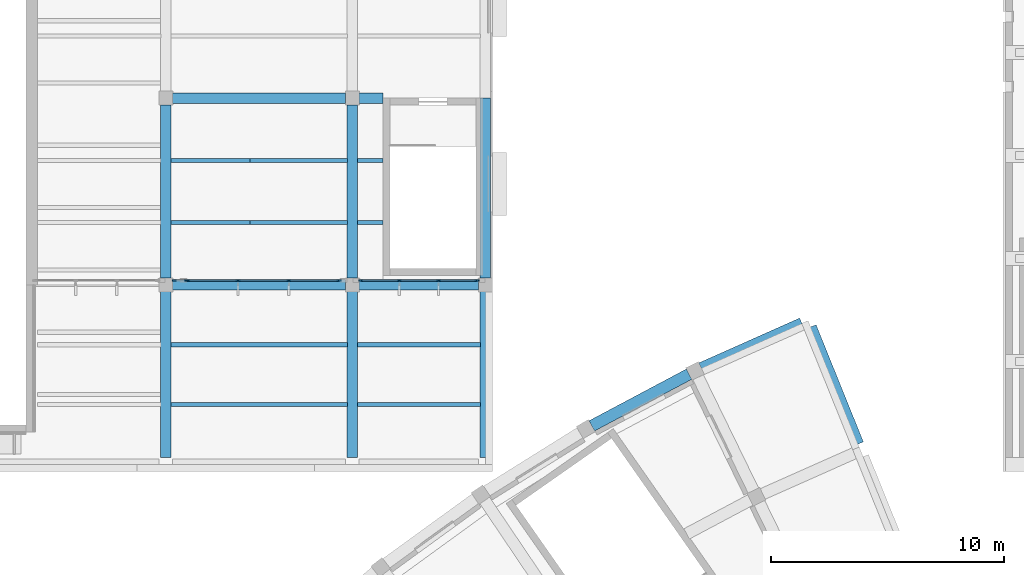
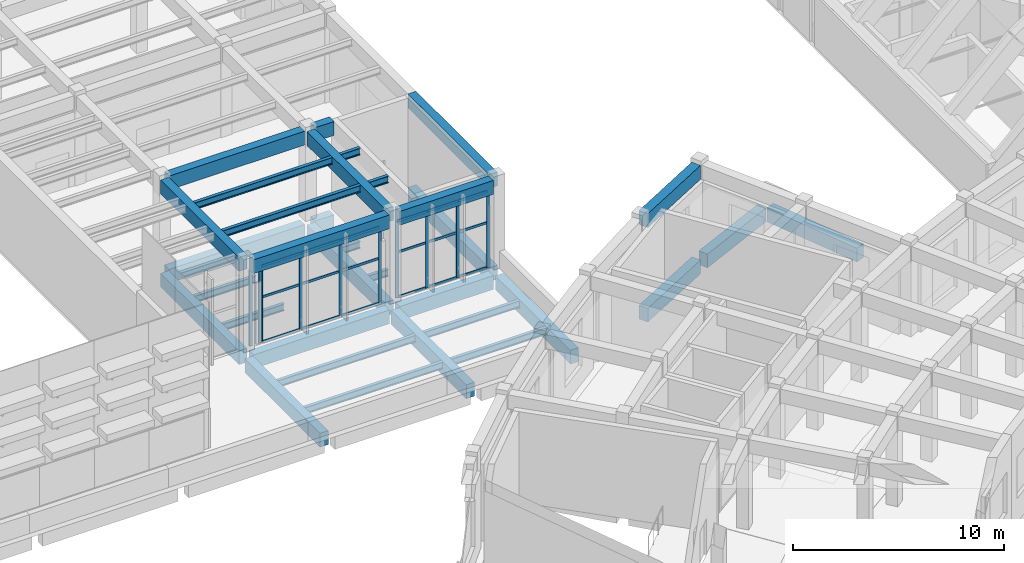
# One storey, part 7 of 94: 33 beams, 28 members, 3 elements without a shape of their own.
"""IFC4 building model written with IfcOpenShell, lengths in metres."""

from ifc_helpers import new_model, si_unit, direction, frame, origin, origin_2d, place, context, subcontext, project, spatial, rectangle, i_section, extrude, material, layer, layer_set, material_profile, profile_set, type_object, element, aggregate, save


model = new_model("IFC4")

# Units and contexts
model_context = context("Model", 3, precision=1e-05, world=origin(), true_north=direction((0.0, 1.0)))
body_context = subcontext(model_context, "Body", "Model", "MODEL_VIEW")
ifc_project = project(units=[si_unit("LENGTHUNIT", "METRE"), si_unit("AREAUNIT", "SQUARE_METRE"), si_unit("VOLUMEUNIT", "CUBIC_METRE"), si_unit("PLANEANGLEUNIT", "RADIAN"), si_unit("MASSUNIT", "GRAM", prefix="KILO")], contexts=[model_context])

# Site, building, storey
site_placement = place(None, origin())
site = spatial("IfcSite", under=ifc_project, at=site_placement, CompositionType="ELEMENT")
building_placement = place(site_placement, origin())
building = spatial("IfcBuilding", under=site, at=building_placement, Name="Lunette Opera House", CompositionType="ELEMENT")
storey_placement = place(building_placement, frame((0.0, 0.0, 22.5)))
storey = spatial("IfcBuildingStorey", under=building, at=storey_placement, Name="L04", CompositionType="ELEMENT", Elevation=22.5)

# Curtain wall, members
ifc_material_1 = material(Name="Aluminium", Category="aluminium")
ifc_layer = layer(ifc_material_1, 0.179931640625)
ifc_layer_set = layer_set([ifc_layer], Name="Aluminium")
curtain_wall_type = type_object("IfcCurtainWallType", Name="SUN FACE CURTAIN WALL", PredefinedType="NOTDEFINED", material=ifc_layer_set)
curtain_wall_1_placement = place(storey_placement, origin())
curtain_wall_1 = element("IfcCurtainWall", 1, at=curtain_wall_1_placement, inside=storey, type_object=curtain_wall_type, Name="Sun Face Curtain Wall F01-2 L04", PredefinedType="NOTDEFINED")
ifc_material_2 = material(Name="Aluminium", Category="aluminium")
ifc_material_profile_1 = material_profile(ifc_material_2, rectangle(XDim=0.06005859375, YDim=0.179931640625, at=origin_2d()), Name="MULLION 60 X 180")
ifc_profile_set_1 = profile_set([ifc_material_profile_1], Name="Aluminium")
member_type_1 = type_object("IfcMemberType", Name="MULLION 60 X 180", PredefinedType="MULLION", material=ifc_profile_set_1)
member_1_placement = place(storey_placement, frame((40.360107421875, 72.18310546875, 0.0), z_axis=(0.0, 0.0, 1.0), x_axis=(0.0, 1.0, 0.0)))
member_1 = element("IfcMember", 2, at=member_1_placement, type_object=member_type_1, Name="RW-X2058 mullion 1", PredefinedType="MULLION", context=body_context, shape_type="SweptSolid", body=[
    extrude(rectangle(XDim=0.06005859375, YDim=0.179931640625, at=origin_2d()), origin(), (0.0, 0.0, 1.0), 4.449951171875),
])
member_2_placement = place(storey_placement, frame((40.8798828125, 72.18310546875, 0.0), z_axis=(0.0, 0.0, 1.0), x_axis=(0.0, 1.0, 0.0)))
member_2 = element("IfcMember", 3, at=member_2_placement, type_object=member_type_1, Name="RW-X2058 mullion 2", PredefinedType="MULLION", context=body_context, shape_type="SweptSolid", body=[
    extrude(rectangle(XDim=0.06005859375, YDim=0.179931640625, at=origin_2d()), origin(), (0.0, 0.0, 1.0), 4.449951171875),
])
aggregate(curtain_wall_1, [member_1, member_2])

curtain_wall_2_placement = place(storey_placement, origin())
curtain_wall_2 = element("IfcCurtainWall", 4, at=curtain_wall_2_placement, inside=storey, type_object=curtain_wall_type, Name="Sun Face Curtain Wall F02 L04", PredefinedType="NOTDEFINED")
member_3_placement = place(storey_placement, frame((40.93994140625, 72.18310546875, 0.0), z_axis=(0.0, 0.0, 1.0), x_axis=(0.0, 1.0, 0.0)))
member_3 = element("IfcMember", 5, at=member_3_placement, type_object=member_type_1, Name="RW-X2059 mullion 1", PredefinedType="MULLION", context=body_context, shape_type="SweptSolid", body=[
    extrude(rectangle(XDim=0.06005859375, YDim=0.179931640625, at=origin_2d()), origin(), (0.0, 0.0, 1.0), 4.449951171875),
])
member_4_placement = place(storey_placement, frame((43.091552734375, 72.18310546875, 0.0), z_axis=(0.0, 0.0, 1.0), x_axis=(0.0, 1.0, 0.0)))
member_4 = element("IfcMember", 6, at=member_4_placement, type_object=member_type_1, Name="RW-X2059 mullion 2", PredefinedType="MULLION", context=body_context, shape_type="SweptSolid", body=[
    extrude(rectangle(XDim=0.06005859375, YDim=0.179931640625, at=origin_2d()), origin(), (0.0, 0.0, 1.0), 4.449951171875),
])
member_5_placement = place(storey_placement, frame((45.2734375, 72.18310546875, 0.0), z_axis=(0.0, 0.0, 1.0), x_axis=(0.0, 1.0, 0.0)))
member_5 = element("IfcMember", 7, at=member_5_placement, type_object=member_type_1, Name="RW-X2059 mullion 3", PredefinedType="MULLION", context=body_context, shape_type="SweptSolid", body=[
    extrude(rectangle(XDim=0.06005859375, YDim=0.179931640625, at=origin_2d()), origin(), (0.0, 0.0, 1.0), 4.449951171875),
])
member_6_placement = place(storey_placement, frame((47.425048828125, 72.18310546875, 0.0), z_axis=(0.0, 0.0, 1.0), x_axis=(0.0, 1.0, 0.0)))
member_6 = element("IfcMember", 8, at=member_6_placement, type_object=member_type_1, Name="RW-X2059 mullion 4", PredefinedType="MULLION", context=body_context, shape_type="SweptSolid", body=[
    extrude(rectangle(XDim=0.06005859375, YDim=0.179931640625, at=origin_2d()), origin(), (0.0, 0.0, 1.0), 4.449951171875),
])

curtain_wall_3_placement = place(storey_placement, origin())
curtain_wall_3 = element("IfcCurtainWall", 9, at=curtain_wall_3_placement, inside=storey, type_object=curtain_wall_type, Name="Sun Face Curtain Wall F03 L04", PredefinedType="NOTDEFINED")
member_7_placement = place(storey_placement, frame((48.360107421875, 72.18310546875, 0.0), z_axis=(0.0, 0.0, 1.0), x_axis=(0.0, 1.0, 0.0)))
member_7 = element("IfcMember", 10, at=member_7_placement, type_object=member_type_1, Name="RW-X2060 mullion 1", PredefinedType="MULLION", context=body_context, shape_type="SweptSolid", body=[
    extrude(rectangle(XDim=0.06005859375, YDim=0.179931640625, at=origin_2d()), origin(), (0.0, 0.0, 1.0), 4.449951171875),
])
member_8_placement = place(storey_placement, frame((50.010009765625, 72.18310546875, 0.0), z_axis=(0.0, 0.0, 1.0), x_axis=(0.0, 1.0, 0.0)))
member_8 = element("IfcMember", 11, at=member_8_placement, type_object=member_type_1, Name="RW-X2060 mullion 2", PredefinedType="MULLION", context=body_context, shape_type="SweptSolid", body=[
    extrude(rectangle(XDim=0.06005859375, YDim=0.179931640625, at=origin_2d()), origin(), (0.0, 0.0, 1.0), 4.449951171875),
])
member_9_placement = place(storey_placement, frame((51.68994140625, 72.18310546875, 0.0), z_axis=(0.0, 0.0, 1.0), x_axis=(0.0, 1.0, 0.0)))
member_9 = element("IfcMember", 12, at=member_9_placement, type_object=member_type_1, Name="RW-X2060 mullion 3", PredefinedType="MULLION", context=body_context, shape_type="SweptSolid", body=[
    extrude(rectangle(XDim=0.06005859375, YDim=0.179931640625, at=origin_2d()), origin(), (0.0, 0.0, 1.0), 4.449951171875),
])
member_10_placement = place(storey_placement, frame((53.340087890625, 72.18310546875, 0.0), z_axis=(0.0, 0.0, 1.0), x_axis=(0.0, 1.0, 0.0)))
member_10 = element("IfcMember", 13, at=member_10_placement, type_object=member_type_1, Name="RW-X2060 mullion 4", PredefinedType="MULLION", context=body_context, shape_type="SweptSolid", body=[
    extrude(rectangle(XDim=0.06005859375, YDim=0.179931640625, at=origin_2d()), origin(), (0.0, 0.0, 1.0), 4.449951171875),
])

# Beams
ifc_material_3 = material(Name="Concrete C35/45", Category="concrete")
ifc_material_profile_2 = material_profile(ifc_material_3, rectangle(XDim=0.449951171875, YDim=0.800048828125, at=origin_2d()), Name="RC BEAM 450X800")
ifc_profile_set_2 = profile_set([ifc_material_profile_2], Name="Concrete C35/45")
beam_type_1 = type_object("IfcBeamType", Name="RC BEAM 450X800", PredefinedType="BEAM", material=ifc_profile_set_2)
beam_1_placement = place(storey_placement, frame((40.0, 64.590087890625, -0.64990234375), z_axis=(0.0, 1.0, 0.0), x_axis=(-1.0, 0.0, 0.0)))
element("IfcBeam", 14, at=beam_1_placement, inside=storey, type_object=beam_type_1, Name="beam-RW-L04-L04-GY40", PredefinedType="BEAM", context=body_context, shape_type="SweptSolid", body=[
    extrude(rectangle(XDim=0.449951171875, YDim=0.800048828125, at=origin_2d()), origin(), (0.0, 0.0, 1.0), 7.119873046875),
])
beam_2_placement = place(storey_placement, frame((40.0, 72.2900390625, -0.550048828125), z_axis=(0.0, 1.0, 0.0), x_axis=(-1.0, 0.0, 0.0)))
element("IfcBeam", 15, at=beam_2_placement, inside=storey, type_object=beam_type_1, Name="beam-RW-L04-L04-GY41", PredefinedType="BEAM", context=body_context, shape_type="SweptSolid", body=[
    extrude(rectangle(XDim=0.449951171875, YDim=0.800048828125, at=origin_2d()), origin(), (0.0, 0.0, 1.0), 7.419921875),
])
beam_3_placement = place(storey_placement, frame((48.0, 64.590087890625, -0.64990234375), z_axis=(0.0, 1.0, 0.0), x_axis=(-1.0, 0.0, 0.0)))
element("IfcBeam", 16, at=beam_3_placement, inside=storey, type_object=beam_type_1, Name="beam-RW-L04-L04-GY50", PredefinedType="BEAM", context=body_context, shape_type="SweptSolid", body=[
    extrude(rectangle(XDim=0.449951171875, YDim=0.800048828125, at=origin_2d()), origin(), (0.0, 0.0, 1.0), 7.119873046875),
])
beam_4_placement = place(storey_placement, frame((48.0, 72.2900390625, -0.550048828125), z_axis=(0.0, 1.0, 0.0), x_axis=(-1.0, 0.0, 0.0)))
element("IfcBeam", 17, at=beam_4_placement, inside=storey, type_object=beam_type_1, Name="beam-RW-L04-L04-GY51", PredefinedType="BEAM", context=body_context, shape_type="SweptSolid", body=[
    extrude(rectangle(XDim=0.449951171875, YDim=0.800048828125, at=origin_2d()), origin(), (0.0, 0.0, 1.0), 7.419921875),
])
beam_5_placement = place(storey_placement, frame((53.699951171875, 64.590087890625, -0.64990234375), z_axis=(0.0, 1.0, 0.0), x_axis=(-1.0, 0.0, 0.0)))
element("IfcBeam", 18, at=beam_5_placement, inside=storey, type_object=beam_type_1, Name="beam-RW-L04-L04-GY60", PredefinedType="BEAM", context=body_context, shape_type="SweptSolid", body=[
    extrude(rectangle(XDim=0.449951171875, YDim=0.800048828125, at=origin_2d()), origin(), (0.0, 0.0, 1.0), 7.119873046875),
])
beam_6_placement = place(storey_placement, frame((53.699951171875, 72.2900390625, -0.550048828125), z_axis=(0.0, 1.0, 0.0), x_axis=(-1.0, 0.0, 0.0)))
element("IfcBeam", 19, at=beam_6_placement, inside=storey, type_object=beam_type_1, Name="beam-RW-L04-L04-GY61", PredefinedType="BEAM", context=body_context, shape_type="SweptSolid", body=[
    extrude(rectangle(XDim=0.449951171875, YDim=0.800048828125, at=origin_2d()), origin(), (0.0, 0.0, 1.0), 7.7099609375),
])
beam_7_placement = place(storey_placement, frame((40.2900390625, 72.0, -0.64990234375), z_axis=(1.0, 0.0, 0.0), x_axis=(0.0, 1.0, 0.0)))
element("IfcBeam", 20, at=beam_7_placement, inside=storey, type_object=beam_type_1, Name="beam-RW-L04-L04-GX41", PredefinedType="BEAM", context=body_context, shape_type="SweptSolid", body=[
    extrude(rectangle(XDim=0.449951171875, YDim=0.800048828125, at=origin_2d()), origin(), (0.0, 0.0, 1.0), 7.419921875),
])
beam_8_placement = place(storey_placement, frame((48.2900390625, 72.0, -0.64990234375), z_axis=(1.0, 0.0, 0.0), x_axis=(0.0, 1.0, 0.0)))
element("IfcBeam", 21, at=beam_8_placement, inside=storey, type_object=beam_type_1, Name="beam-RW-L04-L04-GX51", PredefinedType="BEAM", context=body_context, shape_type="SweptSolid", body=[
    extrude(rectangle(XDim=0.449951171875, YDim=0.800048828125, at=origin_2d()), origin(), (0.0, 0.0, 1.0), 5.119873046875),
])
beam_9_placement = place(storey_placement, frame((40.2900390625, 80.0, -0.550048828125), z_axis=(1.0, 0.0, 0.0), x_axis=(0.0, 1.0, 0.0)))
element("IfcBeam", 22, at=beam_9_placement, inside=storey, type_object=beam_type_1, Name="beam-RW-L04-L04-GX42", PredefinedType="BEAM", context=body_context, shape_type="SweptSolid", body=[
    extrude(rectangle(XDim=0.449951171875, YDim=0.800048828125, at=origin_2d()), origin(), (0.0, 0.0, 1.0), 7.419921875),
])
beam_10_placement = place(storey_placement, frame((48.2900390625, 80.0, -0.550048828125), z_axis=(1.0, 0.0, 0.0), x_axis=(0.0, 1.0, 0.0)))
element("IfcBeam", 23, at=beam_10_placement, inside=storey, type_object=beam_type_1, Name="beam-RW-L04-L04-GX52", PredefinedType="BEAM", context=body_context, shape_type="SweptSolid", body=[
    extrude(rectangle(XDim=0.449951171875, YDim=0.800048828125, at=origin_2d()), origin(), (0.0, 0.0, 1.0), 1.02001953125),
])
for number, where, z_axis, x_axis, name in (
    (24, (40.0, 72.2900390625, 4.85009765625), (0.0, 1.0, 0.0), (-1.0, 0.0, 0.0), "beam-RW-L04-L04R-GY41"),
    (25, (48.0, 72.2900390625, 4.85009765625), (0.0, 1.0, 0.0), (-1.0, 0.0, 0.0), "beam-RW-L04-L04R-GY51"),
):
    element("IfcBeam", number, at=place(storey_placement, frame(where, z_axis=z_axis, x_axis=x_axis)), inside=storey, type_object=beam_type_1, Name=name, PredefinedType="BEAM", context=body_context, shape_type="SweptSolid", body=[
        extrude(rectangle(XDim=0.449951171875, YDim=0.800048828125, at=origin_2d()), origin(), (0.0, 0.0, 1.0), 7.419921875),
    ])
beam_11_placement = place(storey_placement, frame((53.699951171875, 72.2900390625, 4.85009765625), z_axis=(0.0, 1.0, 0.0), x_axis=(-1.0, 0.0, 0.0)))
element("IfcBeam", 26, at=beam_11_placement, inside=storey, type_object=beam_type_1, Name="beam-RW-L04-L04R-GY61", PredefinedType="BEAM", context=body_context, shape_type="SweptSolid", body=[
    extrude(rectangle(XDim=0.449951171875, YDim=0.800048828125, at=origin_2d()), origin(), (0.0, 0.0, 1.0), 7.7099609375),
])
beam_12_placement = place(storey_placement, frame((40.2900390625, 72.0, 4.85009765625), z_axis=(1.0, 0.0, 0.0), x_axis=(0.0, 1.0, 0.0)))
element("IfcBeam", 27, at=beam_12_placement, inside=storey, type_object=beam_type_1, Name="beam-RW-L04-L04R-GX41", PredefinedType="BEAM", context=body_context, shape_type="SweptSolid", body=[
    extrude(rectangle(XDim=0.449951171875, YDim=0.800048828125, at=origin_2d()), origin(), (0.0, 0.0, 1.0), 7.419921875),
])
beam_13_placement = place(storey_placement, frame((48.2900390625, 72.0, 4.85009765625), z_axis=(1.0, 0.0, 0.0), x_axis=(0.0, 1.0, 0.0)))
element("IfcBeam", 28, at=beam_13_placement, inside=storey, type_object=beam_type_1, Name="beam-RW-L04-L04R-GX51", PredefinedType="BEAM", context=body_context, shape_type="SweptSolid", body=[
    extrude(rectangle(XDim=0.449951171875, YDim=0.800048828125, at=origin_2d()), origin(), (0.0, 0.0, 1.0), 5.119873046875),
])
beam_14_placement = place(storey_placement, frame((40.2900390625, 80.0, 4.85009765625), z_axis=(1.0, 0.0, 0.0), x_axis=(0.0, 1.0, 0.0)))
element("IfcBeam", 29, at=beam_14_placement, inside=storey, type_object=beam_type_1, Name="beam-RW-L04-L04R-GX42", PredefinedType="BEAM", context=body_context, shape_type="SweptSolid", body=[
    extrude(rectangle(XDim=0.449951171875, YDim=0.800048828125, at=origin_2d()), origin(), (0.0, 0.0, 1.0), 7.419921875),
])
beam_15_placement = place(storey_placement, frame((48.2900390625, 80.0, 4.85009765625), z_axis=(1.0, 0.0, 0.0), x_axis=(0.0, 1.0, 0.0)))
element("IfcBeam", 30, at=beam_15_placement, inside=storey, type_object=beam_type_1, Name="beam-RW-L04-L04R-GX52", PredefinedType="BEAM", context=body_context, shape_type="SweptSolid", body=[
    extrude(rectangle(XDim=0.449951171875, YDim=0.800048828125, at=origin_2d()), origin(), (0.0, 0.0, 1.0), 1.02001953125),
])
ifc_material_4 = material(Name="Concrete C35/45", Category="concrete")
ifc_material_profile_3 = material_profile(ifc_material_4, rectangle(XDim=0.5, YDim=0.800048828125, at=origin_2d()), Name="RC BEAM 500X800")
ifc_profile_set_3 = profile_set([ifc_material_profile_3], Name="Concrete C35/45")
beam_type_2 = type_object("IfcBeamType", Name="RC BEAM 500X800", PredefinedType="BEAM", material=ifc_profile_set_3)
beam_16_placement = place(storey_placement, frame((69.6689453125, 65.172119140625, -0.6201171875), z_axis=(-0.374580732086, 0.927194302803, 0.0), x_axis=(-0.927194302803, -0.374580732086, 0.0)))
element("IfcBeam", 31, at=beam_16_placement, inside=storey, type_object=beam_type_2, Name="beam-FC-L04-L04-RB-RL-08-4", PredefinedType="BEAM", context=body_context, shape_type="SweptSolid", body=[
    extrude(rectangle(XDim=0.5, YDim=0.800048828125, at=origin_2d()), origin(), (0.0, 0.0, 1.0), 5.41943359375),
])
beam_17_placement = place(storey_placement, frame((58.256103515625, 65.9541015625, -0.6201171875), z_axis=(0.882965814701, 0.46943729088, 0.0), x_axis=(-0.46943729088, 0.882965814701, 0.0)))
element("IfcBeam", 32, at=beam_17_placement, inside=storey, type_object=beam_type_2, Name="beam-FC-L04-L04-RG-AR-C-RL-06", PredefinedType="BEAM", context=body_context, shape_type="SweptSolid", body=[
    extrude(rectangle(XDim=0.5, YDim=0.800048828125, at=origin_2d()), origin(), (0.0, 0.0, 1.0), 4.724853515625),
])
beam_18_placement = place(storey_placement, frame((62.948974609375, 68.426025390625, -0.6201171875), z_axis=(0.91352150634, 0.40679043432, 0.0), x_axis=(-0.40679043432, 0.91352150634, 0.0)))
element("IfcBeam", 33, at=beam_18_placement, inside=storey, type_object=beam_type_2, Name="beam-FC-L04-L04-RG-AR-C-RL-07", PredefinedType="BEAM", context=body_context, shape_type="SweptSolid", body=[
    extrude(rectangle(XDim=0.5, YDim=0.800048828125, at=origin_2d()), origin(), (0.0, 0.0, 1.0), 4.724365234375),
])
beam_19_placement = place(storey_placement, frame((58.256103515625, 65.9541015625, 4.85009765625), z_axis=(0.882965814701, 0.46943729088, 0.0), x_axis=(-0.46943729088, 0.882965814701, 0.0)))
element("IfcBeam", 34, at=beam_19_placement, inside=storey, type_object=beam_type_2, Name="beam-FC-L04-RF-RG-AR-C-RL-06", PredefinedType="BEAM", context=body_context, shape_type="SweptSolid", body=[
    extrude(rectangle(XDim=0.5, YDim=0.800048828125, at=origin_2d()), origin(), (0.0, 0.0, 1.0), 4.724853515625),
])
ifc_material_5 = material(Name="Steel S355", Category="steel")
ifc_material_profile_4 = material_profile(ifc_material_5, i_section(OverallWidth=0.179931640625, OverallDepth=0.39990234375, WebThickness=0.008544921875, FlangeThickness=0.013427734375, FilletRadius=0.02099609375, at=origin_2d()), Name="IPE 400")
ifc_profile_set_4 = profile_set([ifc_material_profile_4], Name="Steel S355")
beam_type_3 = type_object("IfcBeamType", Name="STEEL BEAM IPE 400", PredefinedType="BEAM", material=ifc_profile_set_4)
for number, where, z_axis, x_axis, name in (
    (35, (40.215087890625, 66.866943359375, -0.449951171875), (1.0, 0.0, 0.0), (0.0, 1.0, 0.0), "beam-RW-L04-L04-SX401"),
    (36, (40.215087890625, 69.43310546875, -0.449951171875), (1.0, 0.0, 0.0), (0.0, 1.0, 0.0), "beam-RW-L04-L04-SX402"),
):
    element("IfcBeam", number, at=place(storey_placement, frame(where, z_axis=z_axis, x_axis=x_axis)), inside=storey, type_object=beam_type_3, Name=name, PredefinedType="BEAM", context=body_context, shape_type="SweptSolid", body=[
        extrude(i_section(OverallWidth=0.179931640625, OverallDepth=0.39990234375, WebThickness=0.008544921875, FlangeThickness=0.013427734375, FilletRadius=0.02099609375, at=origin_2d()), origin(), (0.0, 0.0, 1.0), 7.56982421875),
    ])
for number, where, z_axis, x_axis, name in (
    (37, (40.215087890625, 74.6669921875, -0.35009765625), (1.0, 0.0, 0.0), (0.0, 1.0, 0.0), "beam-RW-L04-L04-SX411"),
    (38, (40.215087890625, 77.3330078125, -0.35009765625), (1.0, 0.0, 0.0), (0.0, 1.0, 0.0), "beam-RW-L04-L04-SX412"),
):
    element("IfcBeam", number, at=place(storey_placement, frame(where, z_axis=z_axis, x_axis=x_axis)), inside=storey, type_object=beam_type_3, Name=name, PredefinedType="BEAM", context=body_context, shape_type="SweptSolid", body=[
        extrude(i_section(OverallWidth=0.179931640625, OverallDepth=0.39990234375, WebThickness=0.008544921875, FlangeThickness=0.013427734375, FilletRadius=0.02099609375, at=origin_2d()), origin(), (0.0, 0.0, 1.0), 3.385009765625),
    ])
for number, where, z_axis, x_axis, name in (
    (39, (48.215087890625, 66.866943359375, -0.449951171875), (1.0, 0.0, 0.0), (0.0, 1.0, 0.0), "beam-RW-L04-L04-SX501"),
    (40, (48.215087890625, 69.43310546875, -0.449951171875), (1.0, 0.0, 0.0), (0.0, 1.0, 0.0), "beam-RW-L04-L04-SX502"),
):
    element("IfcBeam", number, at=place(storey_placement, frame(where, z_axis=z_axis, x_axis=x_axis)), inside=storey, type_object=beam_type_3, Name=name, PredefinedType="BEAM", context=body_context, shape_type="SweptSolid", body=[
        extrude(i_section(OverallWidth=0.179931640625, OverallDepth=0.39990234375, WebThickness=0.008544921875, FlangeThickness=0.013427734375, FilletRadius=0.02099609375, at=origin_2d()), origin(), (0.0, 0.0, 1.0), 5.27001953125),
    ])
for number, where, z_axis, x_axis, name in (
    (41, (48.215087890625, 74.6669921875, -0.35009765625), (1.0, 0.0, 0.0), (0.0, 1.0, 0.0), "beam-RW-L04-L04-SX511"),
    (42, (48.215087890625, 77.3330078125, -0.35009765625), (1.0, 0.0, 0.0), (0.0, 1.0, 0.0), "beam-RW-L04-L04-SX512"),
):
    element("IfcBeam", number, at=place(storey_placement, frame(where, z_axis=z_axis, x_axis=x_axis)), inside=storey, type_object=beam_type_3, Name=name, PredefinedType="BEAM", context=body_context, shape_type="SweptSolid", body=[
        extrude(i_section(OverallWidth=0.179931640625, OverallDepth=0.39990234375, WebThickness=0.008544921875, FlangeThickness=0.013427734375, FilletRadius=0.02099609375, at=origin_2d()), origin(), (0.0, 0.0, 1.0), 1.0849609375),
    ])
for number, where, z_axis, x_axis, name in (
    (43, (40.215087890625, 74.6669921875, 5.050048828125), (1.0, 0.0, 0.0), (0.0, 1.0, 0.0), "beam-RW-L04-L04R-SX411"),
    (44, (40.215087890625, 77.3330078125, 5.050048828125), (1.0, 0.0, 0.0), (0.0, 1.0, 0.0), "beam-RW-L04-L04R-SX412"),
):
    element("IfcBeam", number, at=place(storey_placement, frame(where, z_axis=z_axis, x_axis=x_axis)), inside=storey, type_object=beam_type_3, Name=name, PredefinedType="BEAM", context=body_context, shape_type="SweptSolid", body=[
        extrude(i_section(OverallWidth=0.179931640625, OverallDepth=0.39990234375, WebThickness=0.008544921875, FlangeThickness=0.013427734375, FilletRadius=0.02099609375, at=origin_2d()), origin(), (0.0, 0.0, 1.0), 7.56982421875),
    ])
for number, where, z_axis, x_axis, name in (
    (45, (48.215087890625, 74.6669921875, 5.050048828125), (1.0, 0.0, 0.0), (0.0, 1.0, 0.0), "beam-RW-L04-L04R-SX511"),
    (46, (48.215087890625, 77.3330078125, 5.050048828125), (1.0, 0.0, 0.0), (0.0, 1.0, 0.0), "beam-RW-L04-L04R-SX512"),
):
    element("IfcBeam", number, at=place(storey_placement, frame(where, z_axis=z_axis, x_axis=x_axis)), inside=storey, type_object=beam_type_3, Name=name, PredefinedType="BEAM", context=body_context, shape_type="SweptSolid", body=[
        extrude(i_section(OverallWidth=0.179931640625, OverallDepth=0.39990234375, WebThickness=0.008544921875, FlangeThickness=0.013427734375, FilletRadius=0.02099609375, at=origin_2d()), origin(), (0.0, 0.0, 1.0), 1.0849609375),
    ])

# Member
ifc_material_6 = material(Name="Aluminium", Category="aluminium")
ifc_material_profile_5 = material_profile(ifc_material_6, rectangle(XDim=0.06005859375, YDim=0.139892578125, at=origin_2d()), Name="TRANSOM 60 X 140")
ifc_profile_set_5 = profile_set([ifc_material_profile_5], Name="Aluminium")
member_type_2 = type_object("IfcMemberType", Name="TRANSOM 60 X 140", PredefinedType="USERDEFINED", material=ifc_profile_set_5)
member_11_placement = place(storey_placement, frame((40.969970703125, 72.18310546875, 0.030029296875), z_axis=(1.0, 0.0, 0.0), x_axis=(0.0, 1.0, 0.0)))
member_11 = element("IfcMember", 47, at=member_11_placement, type_object=member_type_2, Name="RW-X2059 transom 1.1", ObjectType="TRANSOM", PredefinedType="USERDEFINED", context=body_context, shape_type="SweptSolid", body=[
    extrude(rectangle(XDim=0.06005859375, YDim=0.139892578125, at=origin_2d()), origin(), (0.0, 0.0, 1.0), 2.091796875),
])

member_12_placement = place(storey_placement, frame((40.969970703125, 72.18310546875, 2.625), z_axis=(1.0, 0.0, 0.0), x_axis=(0.0, 1.0, 0.0)))
member_12 = element("IfcMember", 48, at=member_12_placement, type_object=member_type_2, Name="RW-X2059 transom 1.2", ObjectType="TRANSOM", PredefinedType="USERDEFINED", context=body_context, shape_type="SweptSolid", body=[
    extrude(rectangle(XDim=0.06005859375, YDim=0.139892578125, at=origin_2d()), origin(), (0.0, 0.0, 1.0), 2.091796875),
])

member_13_placement = place(storey_placement, frame((40.969970703125, 72.18310546875, 4.419921875), z_axis=(1.0, 0.0, 0.0), x_axis=(0.0, 1.0, 0.0)))
member_13 = element("IfcMember", 49, at=member_13_placement, type_object=member_type_2, Name="RW-X2059 transom 1.3", ObjectType="TRANSOM", PredefinedType="USERDEFINED", context=body_context, shape_type="SweptSolid", body=[
    extrude(rectangle(XDim=0.06005859375, YDim=0.139892578125, at=origin_2d()), origin(), (0.0, 0.0, 1.0), 2.091796875),
])

member_14_placement = place(storey_placement, frame((43.12158203125, 72.18310546875, 0.030029296875), z_axis=(1.0, 0.0, 0.0), x_axis=(0.0, 1.0, 0.0)))
member_14 = element("IfcMember", 50, at=member_14_placement, type_object=member_type_2, Name="RW-X2059 transom 2.1", ObjectType="TRANSOM", PredefinedType="USERDEFINED", context=body_context, shape_type="SweptSolid", body=[
    extrude(rectangle(XDim=0.06005859375, YDim=0.139892578125, at=origin_2d()), origin(), (0.0, 0.0, 1.0), 2.121826171875),
])

member_15_placement = place(storey_placement, frame((43.12158203125, 72.18310546875, 2.625), z_axis=(1.0, 0.0, 0.0), x_axis=(0.0, 1.0, 0.0)))
member_15 = element("IfcMember", 51, at=member_15_placement, type_object=member_type_2, Name="RW-X2059 transom 2.2", ObjectType="TRANSOM", PredefinedType="USERDEFINED", context=body_context, shape_type="SweptSolid", body=[
    extrude(rectangle(XDim=0.06005859375, YDim=0.139892578125, at=origin_2d()), origin(), (0.0, 0.0, 1.0), 2.121826171875),
])

member_16_placement = place(storey_placement, frame((43.12158203125, 72.18310546875, 4.419921875), z_axis=(1.0, 0.0, 0.0), x_axis=(0.0, 1.0, 0.0)))
member_16 = element("IfcMember", 52, at=member_16_placement, type_object=member_type_2, Name="RW-X2059 transom 2.3", ObjectType="TRANSOM", PredefinedType="USERDEFINED", context=body_context, shape_type="SweptSolid", body=[
    extrude(rectangle(XDim=0.06005859375, YDim=0.139892578125, at=origin_2d()), origin(), (0.0, 0.0, 1.0), 2.121826171875),
])

member_17_placement = place(storey_placement, frame((45.30322265625, 72.18310546875, 0.030029296875), z_axis=(1.0, 0.0, 0.0), x_axis=(0.0, 1.0, 0.0)))
member_17 = element("IfcMember", 53, at=member_17_placement, type_object=member_type_2, Name="RW-X2059 transom 3.1", ObjectType="TRANSOM", PredefinedType="USERDEFINED", context=body_context, shape_type="SweptSolid", body=[
    extrude(rectangle(XDim=0.06005859375, YDim=0.139892578125, at=origin_2d()), origin(), (0.0, 0.0, 1.0), 2.091796875),
])

member_18_placement = place(storey_placement, frame((45.30322265625, 72.18310546875, 2.625), z_axis=(1.0, 0.0, 0.0), x_axis=(0.0, 1.0, 0.0)))
member_18 = element("IfcMember", 54, at=member_18_placement, type_object=member_type_2, Name="RW-X2059 transom 3.2", ObjectType="TRANSOM", PredefinedType="USERDEFINED", context=body_context, shape_type="SweptSolid", body=[
    extrude(rectangle(XDim=0.06005859375, YDim=0.139892578125, at=origin_2d()), origin(), (0.0, 0.0, 1.0), 2.091796875),
])

member_19_placement = place(storey_placement, frame((45.30322265625, 72.18310546875, 4.419921875), z_axis=(1.0, 0.0, 0.0), x_axis=(0.0, 1.0, 0.0)))
member_19 = element("IfcMember", 55, at=member_19_placement, type_object=member_type_2, Name="RW-X2059 transom 3.3", ObjectType="TRANSOM", PredefinedType="USERDEFINED", context=body_context, shape_type="SweptSolid", body=[
    extrude(rectangle(XDim=0.06005859375, YDim=0.139892578125, at=origin_2d()), origin(), (0.0, 0.0, 1.0), 2.091796875),
])

aggregate(curtain_wall_2, [member_3, member_4, member_5, member_6, member_11, member_12, member_13, member_14, member_15, member_16, member_17, member_18, member_19])

member_20_placement = place(storey_placement, frame((48.389892578125, 72.18310546875, 0.030029296875), z_axis=(1.0, 0.0, 0.0), x_axis=(0.0, 1.0, 0.0)))
member_20 = element("IfcMember", 56, at=member_20_placement, type_object=member_type_2, Name="RW-X2060 transom 1.1", ObjectType="TRANSOM", PredefinedType="USERDEFINED", context=body_context, shape_type="SweptSolid", body=[
    extrude(rectangle(XDim=0.06005859375, YDim=0.139892578125, at=origin_2d()), origin(), (0.0, 0.0, 1.0), 1.590087890625),
])

member_21_placement = place(storey_placement, frame((48.389892578125, 72.18310546875, 2.625), z_axis=(1.0, 0.0, 0.0), x_axis=(0.0, 1.0, 0.0)))
member_21 = element("IfcMember", 57, at=member_21_placement, type_object=member_type_2, Name="RW-X2060 transom 1.2", ObjectType="TRANSOM", PredefinedType="USERDEFINED", context=body_context, shape_type="SweptSolid", body=[
    extrude(rectangle(XDim=0.06005859375, YDim=0.139892578125, at=origin_2d()), origin(), (0.0, 0.0, 1.0), 1.590087890625),
])

member_22_placement = place(storey_placement, frame((48.389892578125, 72.18310546875, 4.419921875), z_axis=(1.0, 0.0, 0.0), x_axis=(0.0, 1.0, 0.0)))
member_22 = element("IfcMember", 58, at=member_22_placement, type_object=member_type_2, Name="RW-X2060 transom 1.3", ObjectType="TRANSOM", PredefinedType="USERDEFINED", context=body_context, shape_type="SweptSolid", body=[
    extrude(rectangle(XDim=0.06005859375, YDim=0.139892578125, at=origin_2d()), origin(), (0.0, 0.0, 1.0), 1.590087890625),
])

member_23_placement = place(storey_placement, frame((50.0400390625, 72.18310546875, 0.030029296875), z_axis=(1.0, 0.0, 0.0), x_axis=(0.0, 1.0, 0.0)))
member_23 = element("IfcMember", 59, at=member_23_placement, type_object=member_type_2, Name="RW-X2060 transom 2.1", ObjectType="TRANSOM", PredefinedType="USERDEFINED", context=body_context, shape_type="SweptSolid", body=[
    extrude(rectangle(XDim=0.06005859375, YDim=0.139892578125, at=origin_2d()), origin(), (0.0, 0.0, 1.0), 1.619873046875),
])

member_24_placement = place(storey_placement, frame((50.0400390625, 72.18310546875, 2.625), z_axis=(1.0, 0.0, 0.0), x_axis=(0.0, 1.0, 0.0)))
member_24 = element("IfcMember", 60, at=member_24_placement, type_object=member_type_2, Name="RW-X2060 transom 2.2", ObjectType="TRANSOM", PredefinedType="USERDEFINED", context=body_context, shape_type="SweptSolid", body=[
    extrude(rectangle(XDim=0.06005859375, YDim=0.139892578125, at=origin_2d()), origin(), (0.0, 0.0, 1.0), 1.619873046875),
])

member_25_placement = place(storey_placement, frame((50.0400390625, 72.18310546875, 4.419921875), z_axis=(1.0, 0.0, 0.0), x_axis=(0.0, 1.0, 0.0)))
member_25 = element("IfcMember", 61, at=member_25_placement, type_object=member_type_2, Name="RW-X2060 transom 2.3", ObjectType="TRANSOM", PredefinedType="USERDEFINED", context=body_context, shape_type="SweptSolid", body=[
    extrude(rectangle(XDim=0.06005859375, YDim=0.139892578125, at=origin_2d()), origin(), (0.0, 0.0, 1.0), 1.619873046875),
])

member_26_placement = place(storey_placement, frame((51.719970703125, 72.18310546875, 0.030029296875), z_axis=(1.0, 0.0, 0.0), x_axis=(0.0, 1.0, 0.0)))
member_26 = element("IfcMember", 62, at=member_26_placement, type_object=member_type_2, Name="RW-X2060 transom 3.1", ObjectType="TRANSOM", PredefinedType="USERDEFINED", context=body_context, shape_type="SweptSolid", body=[
    extrude(rectangle(XDim=0.06005859375, YDim=0.139892578125, at=origin_2d()), origin(), (0.0, 0.0, 1.0), 1.590087890625),
])

member_27_placement = place(storey_placement, frame((51.719970703125, 72.18310546875, 2.625), z_axis=(1.0, 0.0, 0.0), x_axis=(0.0, 1.0, 0.0)))
member_27 = element("IfcMember", 63, at=member_27_placement, type_object=member_type_2, Name="RW-X2060 transom 3.2", ObjectType="TRANSOM", PredefinedType="USERDEFINED", context=body_context, shape_type="SweptSolid", body=[
    extrude(rectangle(XDim=0.06005859375, YDim=0.139892578125, at=origin_2d()), origin(), (0.0, 0.0, 1.0), 1.590087890625),
])

member_28_placement = place(storey_placement, frame((51.719970703125, 72.18310546875, 4.419921875), z_axis=(1.0, 0.0, 0.0), x_axis=(0.0, 1.0, 0.0)))
member_28 = element("IfcMember", 64, at=member_28_placement, type_object=member_type_2, Name="RW-X2060 transom 3.3", ObjectType="TRANSOM", PredefinedType="USERDEFINED", context=body_context, shape_type="SweptSolid", body=[
    extrude(rectangle(XDim=0.06005859375, YDim=0.139892578125, at=origin_2d()), origin(), (0.0, 0.0, 1.0), 1.590087890625),
])

aggregate(curtain_wall_3, [member_7, member_8, member_9, member_10, member_20, member_21, member_22, member_23, member_24, member_25, member_26, member_27, member_28])

save(model, "model.ifc")
